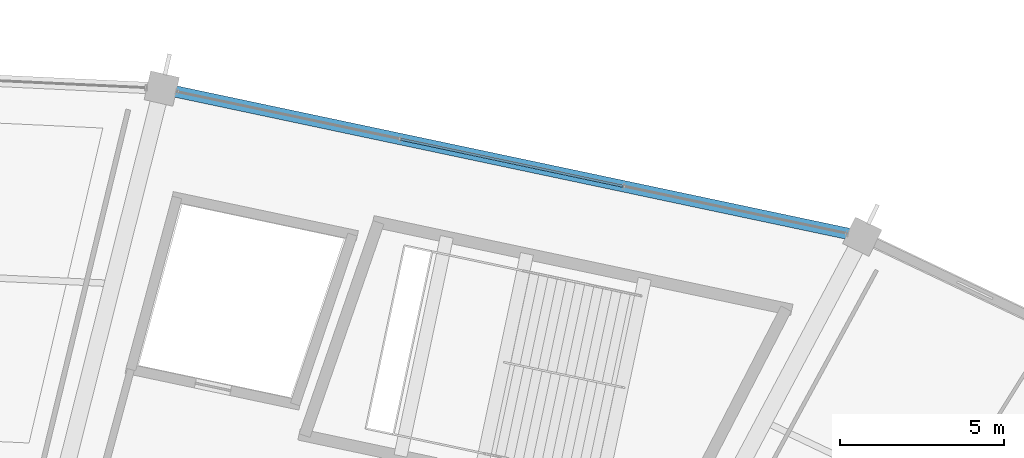
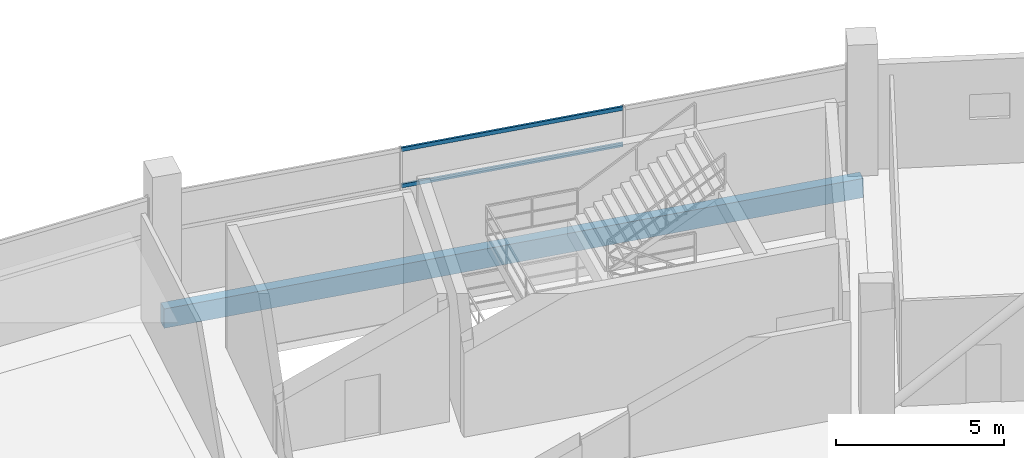
# One storey, part 94 of 156: 2 members, 1 beam, 1 element without a shape of its own.
"""IFC4 building model written with IfcOpenShell, lengths in metres."""

from ifc_helpers import new_model, si_unit, direction, frame, origin, origin_2d, place, context, subcontext, project, spatial, rectangle, hollow_rectangle, extrude, material, layer, layer_set, material_profile, profile_set, type_object, element, aggregate, save


model = new_model("IFC4")

# Units and contexts
model_context = context("Model", 3, precision=1e-05, world=origin(), true_north=direction((0.0, 1.0)))
body_context = subcontext(model_context, "Body", "Model", "MODEL_VIEW")
ifc_project = project(units=[si_unit("LENGTHUNIT", "METRE"), si_unit("AREAUNIT", "SQUARE_METRE"), si_unit("VOLUMEUNIT", "CUBIC_METRE"), si_unit("PLANEANGLEUNIT", "RADIAN"), si_unit("MASSUNIT", "GRAM", prefix="KILO")], contexts=[model_context])

# Site, building, storey
site_placement = place(None, origin())
site = spatial("IfcSite", under=ifc_project, at=site_placement, CompositionType="ELEMENT")
building_placement = place(site_placement, origin())
building = spatial("IfcBuilding", under=site, at=building_placement, Name="Kazemori Nagisa Stadium", CompositionType="ELEMENT")
storey_placement = place(building_placement, frame((0.0, 0.0, 5.780029296875)))
storey = spatial("IfcBuildingStorey", under=building, at=storey_placement, Name="L01", CompositionType="ELEMENT", Elevation=5.780029296875)

# Beam
ifc_material_1 = material(Name="Concrete C40/50 (Fc42)", Category="concrete")
ifc_material_profile_1 = material_profile(ifc_material_1, rectangle(XDim=0.35009765625, YDim=0.699951171875, at=origin_2d()), Name="RC-SP-350x700")
ifc_profile_set_1 = profile_set([ifc_material_profile_1], Name="Concrete C40/50 (Fc42)")
beam_type = type_object("IfcBeamType", Name="Beam_BS-RC350X700", PredefinedType="SPANDREL", material=ifc_profile_set_1)
beam_placement = place(storey_placement, frame((165.8046875, 182.46435546875, -0.630126953125), z_axis=(-0.97834587432, 0.206976689994, 0.0), x_axis=(-0.206976689994, -0.97834587432, 0.0)))
element("IfcBeam", 1, at=beam_placement, inside=storey, type_object=beam_type, Name="Ring girder BS-RC350X700 L01 R3-06", PredefinedType="SPANDREL", context=body_context, shape_type="SweptSolid", body=[
    extrude(rectangle(XDim=0.35009765625, YDim=0.699951171875, at=origin_2d()), origin(), (0.0, 0.0, 1.0), 21.85009765625),
])

# Curtain wall, members
ifc_material_2 = material(Name="Anodised aluminium 6063-T5", Category="aluminium")
ifc_layer = layer(ifc_material_2, 0.179931640625, Name="Anodised aluminium 6063-T5", Category="aluminium")
ifc_layer_set = layer_set([ifc_layer], Name="Anodised aluminium 6063-T5")
curtain_wall_type = type_object("IfcCurtainWallType", Name="CW_L01R3_105", PredefinedType="USERDEFINED", material=ifc_layer_set)
curtain_wall_placement = place(storey_placement, origin())
curtain_wall = element("IfcCurtainWall", 2, at=curtain_wall_placement, inside=storey, type_object=curtain_wall_type, Name="Unitised curtain wall CW-L01R3-105 L01", ObjectType="UNITISED CURTAIN WALL", PredefinedType="USERDEFINED")
ifc_material_3 = material(Name="Aluminium 6063-T5 anodised", Category="aluminium")
ifc_material_profile_2 = material_profile(ifc_material_3, hollow_rectangle(XDim=0.070068359375, YDim=0.139892578125, WallThickness=0.00390625, at=origin_2d()), Name="ALU-TRAN-70x140x4")
ifc_profile_set_2 = profile_set([ifc_material_profile_2], Name="Aluminium 6063-T5 anodised")
member_type = type_object("IfcMemberType", Name="Transom_T01", PredefinedType="USERDEFINED", material=ifc_profile_set_2)
member_1_placement = place(storey_placement, frame((158.504638671875, 184.0087890625, 2.4638671875), z_axis=(-0.978348879673, 0.20696248366, 0.0), x_axis=(-0.20696248366, -0.978348879673, 0.0)))
member_1 = element("IfcMember", 3, at=member_1_placement, type_object=member_type, Name="Curtain wall transom CW-L01R3-105-T2-mid", ObjectType="TRANSOM", PredefinedType="USERDEFINED", context=body_context, shape_type="SweptSolid", body=[
    extrude(hollow_rectangle(XDim=0.070068359375, YDim=0.139892578125, WallThickness=0.00390625, at=origin_2d()), origin(), (0.0, 0.0, 1.0), 6.9267578125),
])
member_2_placement = place(storey_placement, frame((158.504638671875, 184.0087890625, 3.780029296875), z_axis=(-0.978348879673, 0.20696248366, 0.0), x_axis=(-0.20696248366, -0.978348879673, 0.0)))
member_2 = element("IfcMember", 4, at=member_2_placement, type_object=member_type, Name="Curtain wall transom CW-L01R3-105-T2-head", ObjectType="TRANSOM", PredefinedType="USERDEFINED", context=body_context, shape_type="SweptSolid", body=[
    extrude(hollow_rectangle(XDim=0.070068359375, YDim=0.139892578125, WallThickness=0.00390625, at=origin_2d()), origin(), (0.0, 0.0, 1.0), 6.9267578125),
])
aggregate(curtain_wall, [member_1, member_2])

save(model, "model.ifc")
